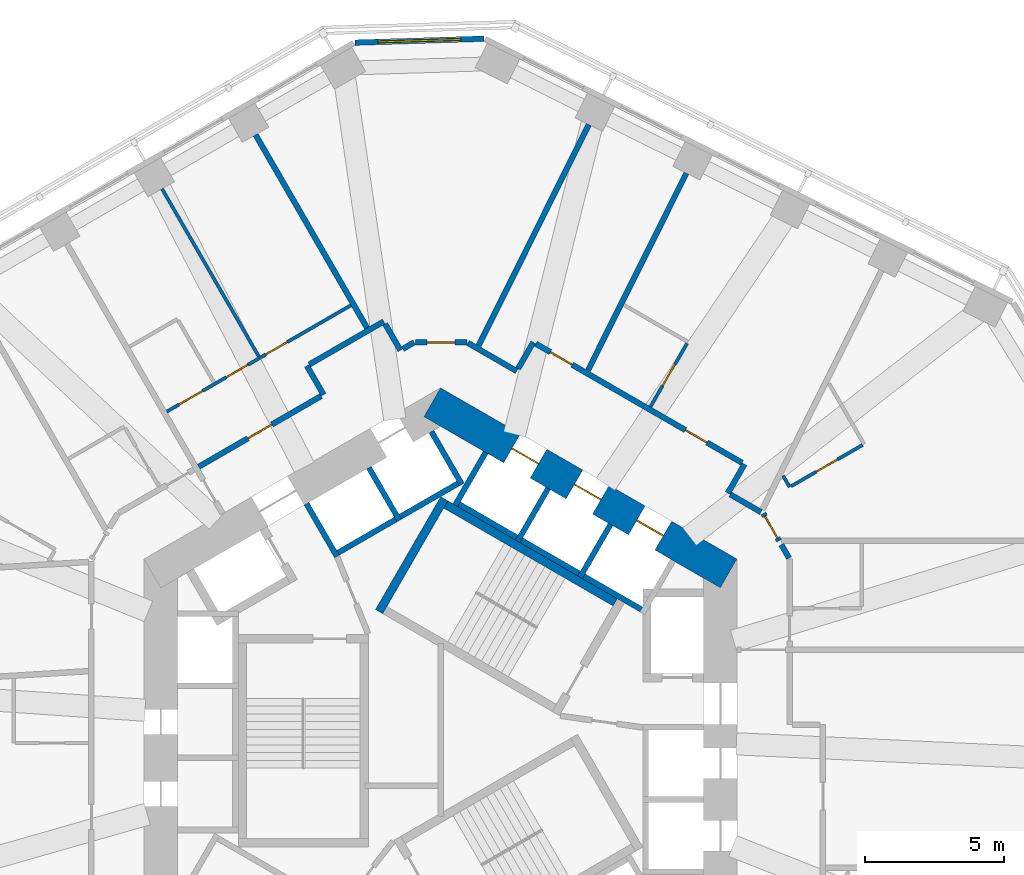
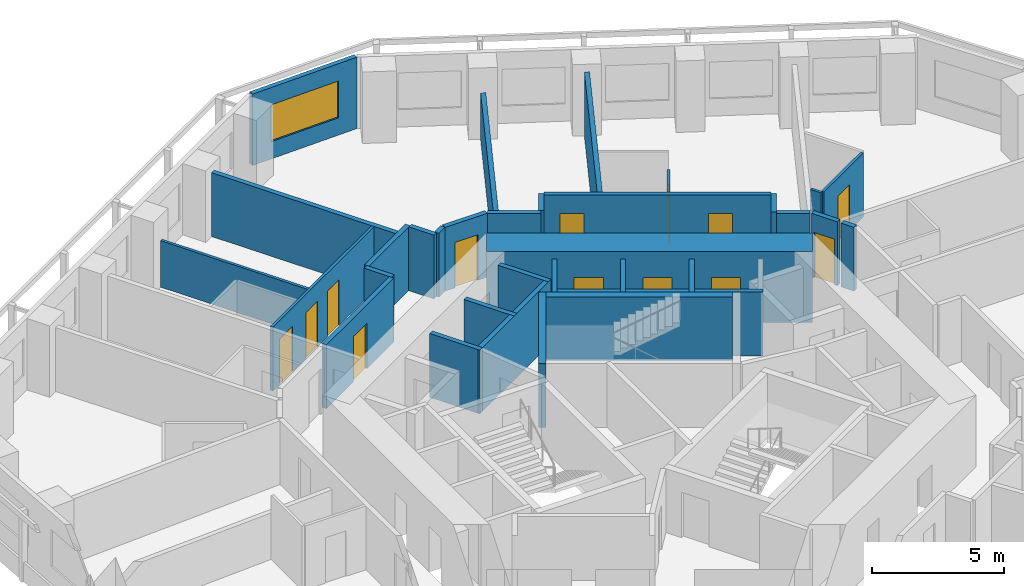
# One storey, part 8 of 12: 33 walls, 13 doors, 1 window, 14 openings.
"""IFC4 building model written with IfcOpenShell, lengths in metres."""

from ifc_helpers import new_model, si_unit, direction, frame, frame_2d, origin, place, context, subcontext, project, spatial, rectangle, extrude, material, layer, layer_set, type_object, element, fill, save


model = new_model("IFC4")

# Units and contexts
model_context = context("Model", 3, precision=1e-05, world=origin(), true_north=direction((0.0, 1.0)))
body_context = subcontext(model_context, "Body", "Model", "MODEL_VIEW")
ifc_project = project(units=[si_unit("LENGTHUNIT", "METRE"), si_unit("AREAUNIT", "SQUARE_METRE"), si_unit("VOLUMEUNIT", "CUBIC_METRE"), si_unit("PLANEANGLEUNIT", "RADIAN"), si_unit("MASSUNIT", "GRAM", prefix="KILO")], contexts=[model_context])

# Site, building, storey
site_placement = place(None, origin())
site = spatial("IfcSite", under=ifc_project, at=site_placement, CompositionType="ELEMENT")
building_placement = place(site_placement, origin())
building = spatial("IfcBuilding", under=site, at=building_placement, Name="Vanh Sen Convention Tower", CompositionType="ELEMENT")
storey_placement = place(building_placement, frame((0.0, 0.0, 116.60009765625)))
storey = spatial("IfcBuildingStorey", under=building, at=storey_placement, Name="L28", CompositionType="ELEMENT", Elevation=116.60009765625)

# Wall
ifc_material_1 = material(Name="Moisture-resistant gypsum board on steel studs", Category="steel")
ifc_layer_1 = layer(ifc_material_1, 0.1201171875)
ifc_layer_set_1 = layer_set([ifc_layer_1], Name="Moisture-resistant gypsum board on steel studs")
wall_type_1 = type_object("IfcWallType", Name="Bathroom partition 120", PredefinedType="PARTITIONING", material=ifc_layer_set_1)
wall_1_placement = place(storey_placement, frame((-10.052978515625, 19.54150390625, 0.0), z_axis=(0.0, 0.0, 1.0), x_axis=(0.49998952364, -0.866031452229, 0.0)))
element("IfcWall", 1, at=wall_1_placement, inside=storey, type_object=wall_type_1, Name="Bathroom partition 120", PredefinedType="PARTITIONING", context=body_context, shape_type="SweptSolid", body=[
    extrude(rectangle(XDim=6.989990234375, YDim=0.1201171875, at=frame_2d((3.4951171875, 0.0))), origin(), (0.0, 0.0, 1.0), 2.14990234375),
])

# Wall, openings, doors
wall_2_placement = place(storey_placement, frame((-3.237060546875, 15.336181640625, 0.0), z_axis=(0.0, 0.0, 1.0), x_axis=(-0.866022840924, -0.500004438978, 0.0)))
wall_2 = element("IfcWall", 2, at=wall_2_placement, inside=storey, type_object=wall_type_1, Name="Bathroom partition 120", PredefinedType="PARTITIONING", context=body_context, shape_type="SweptSolid", body=[
    extrude(rectangle(XDim=7.66943359375, YDim=0.1201171875, at=frame_2d((3.834716796875, 0.0))), origin(), (0.0, 0.0, 1.0), 2.949951171875),
])
opening_1_placement = place(wall_2_placement, frame((6.169189453125, 0.0, 0.0)))
opening_1 = element("IfcOpeningElement", 3, at=opening_1_placement, cuts=wall_2, Name="Opening D27111", PredefinedType="OPENING", context=body_context, shape_type="SweptSolid", body=[
    extrude(rectangle(XDim=1.0, YDim=2.10009765625, at=frame_2d((0.5, 1.050048828125))), frame((0.0, 0.070068359375, 0.0), z_axis=(0.0, -1.0, 0.0), x_axis=(1.0, 0.0, 0.0)), (0.0, 0.0, 1.0), 0.14013671875),
])
opening_2_placement = place(wall_2_placement, frame((2.64990234375, 0.0, 0.0)))
opening_2 = element("IfcOpeningElement", 4, at=opening_2_placement, cuts=wall_2, Name="Opening D27112", PredefinedType="OPENING", context=body_context, shape_type="SweptSolid", body=[
    extrude(rectangle(XDim=0.89990234375, YDim=2.10009765625, at=frame_2d((0.449951171875, 1.050048828125))), frame((0.0, 0.070068359375, 0.0), z_axis=(0.0, -1.0, 0.0), x_axis=(1.0, 0.0, 0.0)), (0.0, 0.0, 1.0), 0.14013671875),
])
opening_3_placement = place(wall_2_placement, frame((4.28466796875, 0.0, 0.0)))
opening_3 = element("IfcOpeningElement", 5, at=opening_3_placement, cuts=wall_2, Name="Opening D27113", PredefinedType="OPENING", context=body_context, shape_type="SweptSolid", body=[
    extrude(rectangle(XDim=0.89990234375, YDim=2.10009765625, at=frame_2d((0.449951171875, 1.050048828125))), frame((0.0, 0.070068359375, 0.0), z_axis=(0.0, -1.0, 0.0), x_axis=(1.0, 0.0, 0.0)), (0.0, 0.0, 1.0), 0.14013671875),
])
ifc_material_2 = material(Name="Laminate door in steel frame", Category="steel")
door_type_1 = type_object("IfcDoorType", Name="Accessible WC door 1000", OperationType="SINGLE_SWING_LEFT", PredefinedType="DOOR", material=ifc_material_2)
door_1_placement = place(opening_1_placement, origin())
door_1 = element("IfcDoor", 6, at=door_1_placement, inside=storey, type_object=door_type_1, Name="Accessible WC door D27111", OperationType="SINGLE_SWING_LEFT", OverallHeight=2.10009765625, OverallWidth=1.0, PredefinedType="DOOR", context=body_context, shape_type="SweptSolid", body=[
    extrude(rectangle(XDim=1.0, YDim=2.10009765625, at=frame_2d((0.5, 1.050048828125))), frame((0.0, 0.02490234375, 0.0), z_axis=(0.0, -1.0, 0.0), x_axis=(1.0, 0.0, 0.0)), (0.0, 0.0, 1.0), 0.050048828125),
])
fill(opening_1, door_1)
door_type_2 = type_object("IfcDoorType", Name="Room internal door 900", OperationType="SINGLE_SWING_LEFT", PredefinedType="DOOR", material=ifc_material_2)
door_2_placement = place(opening_2_placement, origin())
door_2 = element("IfcDoor", 7, at=door_2_placement, inside=storey, type_object=door_type_2, Name="Internal room door D27112", OperationType="SINGLE_SWING_LEFT", OverallHeight=2.10009765625, OverallWidth=0.89990234375, PredefinedType="DOOR", context=body_context, shape_type="SweptSolid", body=[
    extrude(rectangle(XDim=0.89990234375, YDim=2.10009765625, at=frame_2d((0.449951171875, 1.050048828125))), frame((0.0, 0.02490234375, 0.0), z_axis=(0.0, -1.0, 0.0), x_axis=(1.0, 0.0, 0.0)), (0.0, 0.0, 1.0), 0.050048828125),
])
fill(opening_2, door_2)
door_3_placement = place(opening_3_placement, origin())
door_3 = element("IfcDoor", 8, at=door_3_placement, inside=storey, type_object=door_type_2, Name="Internal room door D27113", OperationType="SINGLE_SWING_LEFT", OverallHeight=2.10009765625, OverallWidth=0.89990234375, PredefinedType="DOOR", context=body_context, shape_type="SweptSolid", body=[
    extrude(rectangle(XDim=0.89990234375, YDim=2.10009765625, at=frame_2d((0.449951171875, 1.050048828125))), frame((0.0, 0.02490234375, 0.0), z_axis=(0.0, -1.0, 0.0), x_axis=(1.0, 0.0, 0.0)), (0.0, 0.0, 1.0), 0.050048828125),
])
fill(opening_3, door_3)

# Wall, opening, door
wall_3_placement = place(storey_placement, frame((8.8974609375, 13.962890625, 0.0), z_axis=(0.0, 0.0, 1.0), x_axis=(-0.500048002682, -0.865997687649, 0.0)))
wall_3 = element("IfcWall", 9, at=wall_3_placement, inside=storey, type_object=wall_type_1, Name="Bathroom partition 120", PredefinedType="PARTITIONING", context=body_context, shape_type="SweptSolid", body=[
    extrude(rectangle(XDim=2.639892578125, YDim=0.1201171875, at=frame_2d((1.31982421875, 0.0))), origin(), (0.0, 0.0, 1.0), 2.14990234375),
])
opening_4_placement = place(wall_3_placement, frame((0.8701171875, 0.0, 0.0)))
opening_4 = element("IfcOpeningElement", 10, at=opening_4_placement, cuts=wall_3, Name="Opening D27107", PredefinedType="OPENING", context=body_context, shape_type="SweptSolid", body=[
    extrude(rectangle(XDim=0.89990234375, YDim=2.10009765625, at=frame_2d((0.449951171875, 1.050048828125))), frame((0.0, 0.070068359375, 0.0), z_axis=(0.0, -1.0, 0.0), x_axis=(1.0, 0.0, 0.0)), (0.0, 0.0, 1.0), 0.14013671875),
])
door_type_3 = type_object("IfcDoorType", Name="En-suite door 900", OperationType="SINGLE_SWING_LEFT", PredefinedType="DOOR", material=ifc_material_2)
door_4_placement = place(opening_4_placement, origin())
door_4 = element("IfcDoor", 11, at=door_4_placement, inside=storey, type_object=door_type_3, Name="En-suite door D27107", OperationType="SINGLE_SWING_LEFT", OverallHeight=2.10009765625, OverallWidth=0.89990234375, PredefinedType="DOOR", context=body_context, shape_type="SweptSolid", body=[
    extrude(rectangle(XDim=0.89990234375, YDim=2.10009765625, at=frame_2d((0.449951171875, 1.050048828125))), frame((0.0, 0.02490234375, 0.0), z_axis=(0.0, -1.0, 0.0), x_axis=(1.0, 0.0, 0.0)), (0.0, 0.0, 1.0), 0.050048828125),
])
fill(opening_4, door_4)

# Wall
wall_4_placement = place(storey_placement, frame((12.600830078125, 8.776123046875, 0.0), z_axis=(0.0, 0.0, 1.0), x_axis=(-0.500166486798, 0.865929261247, 0.0)))
element("IfcWall", 12, at=wall_4_placement, inside=storey, type_object=wall_type_1, Name="Bathroom partition 120", PredefinedType="PARTITIONING", context=body_context, shape_type="SweptSolid", body=[
    extrude(rectangle(XDim=0.475830078125, YDim=0.1201171875, at=frame_2d((0.23779296875, 0.0))), origin(), (0.0, 0.0, 1.0), 2.949951171875),
])

# Wall, opening, door
wall_5_placement = place(storey_placement, frame((15.2333984375, 10.296142578125, 0.0), z_axis=(0.0, 0.0, 1.0), x_axis=(-0.866010940986, -0.500025049464, 0.0)))
wall_5 = element("IfcWall", 13, at=wall_5_placement, inside=storey, type_object=wall_type_1, Name="Bathroom partition 120", PredefinedType="PARTITIONING", context=body_context, shape_type="SweptSolid", body=[
    extrude(rectangle(XDim=2.979736328125, YDim=0.1201171875, at=frame_2d((1.48974609375, 0.0))), origin(), (0.0, 0.0, 1.0), 2.949951171875),
])
opening_5_placement = place(wall_5_placement, frame((1.0400390625, 0.0, 0.0)))
opening_5 = element("IfcOpeningElement", 14, at=opening_5_placement, cuts=wall_5, Name="Opening D27105", PredefinedType="OPENING", context=body_context, shape_type="SweptSolid", body=[
    extrude(rectangle(XDim=0.89990234375, YDim=2.10009765625, at=frame_2d((0.449951171875, 1.050048828125))), frame((0.0, 0.070068359375, 0.0), z_axis=(0.0, -1.0, 0.0), x_axis=(1.0, 0.0, 0.0)), (0.0, 0.0, 1.0), 0.14013671875),
])
door_5_placement = place(opening_5_placement, origin())
door_5 = element("IfcDoor", 15, at=door_5_placement, inside=storey, type_object=door_type_3, Name="En-suite door D27105", OperationType="SINGLE_SWING_LEFT", OverallHeight=2.10009765625, OverallWidth=0.89990234375, PredefinedType="DOOR", context=body_context, shape_type="SweptSolid", body=[
    extrude(rectangle(XDim=0.89990234375, YDim=2.10009765625, at=frame_2d((0.449951171875, 1.050048828125))), frame((0.0, 0.02490234375, 0.0), z_axis=(0.0, -1.0, 0.0), x_axis=(1.0, 0.0, 0.0)), (0.0, 0.0, 1.0), 0.050048828125),
])
fill(opening_5, door_5)

# Wall, openings, doors
ifc_material_3 = material(Name="Concrete C80/95", Category="concrete")
ifc_layer_2 = layer(ifc_material_3, 1.199951171875)
ifc_layer_set_2 = layer_set([ifc_layer_2], Name="Concrete C80/95")
wall_type_2 = type_object("IfcWallType", Name="Core outer wall 1200 C80/95", PredefinedType="SHEAR", material=ifc_layer_set_2)
wall_6_placement = place(storey_placement, frame((10.39990234375, 5.657958984375, 0.0), z_axis=(0.0, 0.0, 1.0), x_axis=(-0.866021384402, 0.500006961711, 0.0)))
wall_6 = element("IfcWall", 16, at=wall_6_placement, inside=storey, type_object=wall_type_2, Name="Core wall face NE L28", PredefinedType="SHEAR", context=body_context, shape_type="SweptSolid", body=[
    extrude(rectangle(XDim=12.355224609375, YDim=1.199951171875, at=frame_2d((6.177734375, 0.0))), origin(), (0.0, 0.0, 1.0), 3.2998046875),
])
opening_6_placement = place(wall_6_placement, frame((2.727783203125, 0.0, 0.0)))
opening_6 = element("IfcOpeningElement", 17, at=opening_6_placement, cuts=wall_6, Name="Opening LD-LR3", PredefinedType="OPENING", context=body_context, shape_type="SweptSolid", body=[
    extrude(rectangle(XDim=1.10009765625, YDim=2.10009765625, at=frame_2d((0.550048828125, 1.050048828125))), frame((0.0, 0.60986328125, 0.0), z_axis=(0.0, -1.0, 0.0), x_axis=(1.0, 0.0, 0.0)), (0.0, 0.0, 1.0), 1.219970703125),
])
opening_7_placement = place(wall_6_placement, frame((5.32763671875, 0.0, 0.0)))
opening_7 = element("IfcOpeningElement", 18, at=opening_7_placement, cuts=wall_6, Name="Opening LD-LR4", PredefinedType="OPENING", context=body_context, shape_type="SweptSolid", body=[
    extrude(rectangle(XDim=1.10009765625, YDim=2.10009765625, at=frame_2d((0.550048828125, 1.050048828125))), frame((0.0, 0.60986328125, 0.0), z_axis=(0.0, -1.0, 0.0), x_axis=(1.0, 0.0, 0.0)), (0.0, 0.0, 1.0), 1.219970703125),
])
opening_8_placement = place(wall_6_placement, frame((7.927734375, 0.0, 0.0)))
opening_8 = element("IfcOpeningElement", 19, at=opening_8_placement, cuts=wall_6, Name="Opening LD-LR5", PredefinedType="OPENING", context=body_context, shape_type="SweptSolid", body=[
    extrude(rectangle(XDim=1.10009765625, YDim=2.10009765625, at=frame_2d((0.550048828125, 1.050048828125))), frame((0.0, 0.60986328125, 0.0), z_axis=(0.0, -1.0, 0.0), x_axis=(1.0, 0.0, 0.0)), (0.0, 0.0, 1.0), 1.219970703125),
])
ifc_material_4 = material(Name="Stainless steel", Category="steel")
door_type_4 = type_object("IfcDoorType", Name="Lift landing door 1100", OperationType="DOUBLE_DOOR_SLIDING", PredefinedType="DOOR", material=ifc_material_4)
door_6_placement = place(opening_6_placement, origin())
door_6 = element("IfcDoor", 20, at=door_6_placement, inside=storey, type_object=door_type_4, Name="Lift LR3 landing door LD-LR3", OperationType="DOUBLE_DOOR_SLIDING", OverallHeight=2.10009765625, OverallWidth=1.10009765625, PredefinedType="DOOR", context=body_context, shape_type="SweptSolid", body=[
    extrude(rectangle(XDim=1.10009765625, YDim=2.10009765625, at=frame_2d((0.550048828125, 1.050048828125))), frame((0.0, 0.02490234375, 0.0), z_axis=(0.0, -1.0, 0.0), x_axis=(1.0, 0.0, 0.0)), (0.0, 0.0, 1.0), 0.050048828125),
])
fill(opening_6, door_6)
door_7_placement = place(opening_7_placement, origin())
door_7 = element("IfcDoor", 21, at=door_7_placement, inside=storey, type_object=door_type_4, Name="Lift LR4 landing door LD-LR4", OperationType="DOUBLE_DOOR_SLIDING", OverallHeight=2.10009765625, OverallWidth=1.10009765625, PredefinedType="DOOR", context=body_context, shape_type="SweptSolid", body=[
    extrude(rectangle(XDim=1.10009765625, YDim=2.10009765625, at=frame_2d((0.550048828125, 1.050048828125))), frame((0.0, 0.02490234375, 0.0), z_axis=(0.0, -1.0, 0.0), x_axis=(1.0, 0.0, 0.0)), (0.0, 0.0, 1.0), 0.050048828125),
])
fill(opening_7, door_7)
door_8_placement = place(opening_8_placement, origin())
door_8 = element("IfcDoor", 22, at=door_8_placement, inside=storey, type_object=door_type_4, Name="Lift LR5 landing door LD-LR5", OperationType="DOUBLE_DOOR_SLIDING", OverallHeight=2.10009765625, OverallWidth=1.10009765625, PredefinedType="DOOR", context=body_context, shape_type="SweptSolid", body=[
    extrude(rectangle(XDim=1.10009765625, YDim=2.10009765625, at=frame_2d((0.550048828125, 1.050048828125))), frame((0.0, 0.02490234375, 0.0), z_axis=(0.0, -1.0, 0.0), x_axis=(1.0, 0.0, 0.0)), (0.0, 0.0, 1.0), 0.050048828125),
])
fill(opening_8, door_8)

# Wall
ifc_material_5 = material(Name="Gypsum board on steel studs with mineral wool", Category="steel")
ifc_layer_3 = layer(ifc_material_5, 0.199951171875)
ifc_layer_set_3 = layer_set([ifc_layer_3], Name="Gypsum board on steel studs with mineral wool")
wall_type_3 = type_object("IfcWallType", Name="Corridor partition wall 200", PredefinedType="PARTITIONING", material=ifc_layer_set_3)
wall_7_placement = place(storey_placement, frame((-4.822998046875, 13.151611328125, 0.0), z_axis=(0.0, 0.0, 1.0), x_axis=(0.499986357472, -0.866033280158, 0.0)))
element("IfcWall", 23, at=wall_7_placement, inside=storey, type_object=wall_type_3, Name="Corridor partition wall 200", PredefinedType="PARTITIONING", context=body_context, shape_type="SweptSolid", body=[
    extrude(rectangle(XDim=1.201171875, YDim=0.199951171875, at=frame_2d((0.6005859375, 0.0))), origin(), (0.0, 0.0, 1.0), 2.949951171875),
])

# Wall, opening, door
wall_8_placement = place(storey_placement, frame((-4.30908203125, 12.061279296875, 0.0), z_axis=(0.0, 0.0, 1.0), x_axis=(-0.866020679205, -0.500008183122, 0.0)))
wall_8 = element("IfcWall", 24, at=wall_8_placement, inside=storey, type_object=wall_type_3, Name="Corridor partition wall 200", PredefinedType="PARTITIONING", context=body_context, shape_type="SweptSolid", body=[
    extrude(rectangle(XDim=5.103515625, YDim=0.199951171875, at=frame_2d((2.5517578125, 0.0))), origin(), (0.0, 0.0, 1.0), 2.949951171875),
])
opening_9_placement = place(wall_8_placement, frame((2.0517578125, 0.0, 0.0)))
opening_9 = element("IfcOpeningElement", 25, at=opening_9_placement, cuts=wall_8, Name="Opening D27110", PredefinedType="OPENING", context=body_context, shape_type="SweptSolid", body=[
    extrude(rectangle(XDim=1.0, YDim=2.10009765625, at=frame_2d((0.5, 1.050048828125))), frame((0.0, 0.10986328125, 0.0), z_axis=(0.0, -1.0, 0.0), x_axis=(1.0, 0.0, 0.0)), (0.0, 0.0, 1.0), 0.219970703125),
])
ifc_material_6 = material(Name="Timber fire door in steel frame", Category="steel")
door_type_5 = type_object("IfcDoorType", Name="Floor room door 1000", OperationType="SINGLE_SWING_LEFT", PredefinedType="DOOR", material=ifc_material_6)
door_9_placement = place(opening_9_placement, origin())
door_9 = element("IfcDoor", 26, at=door_9_placement, inside=storey, type_object=door_type_5, Name="Meeting and amenity room door D27110", OperationType="SINGLE_SWING_LEFT", OverallHeight=2.10009765625, OverallWidth=1.0, PredefinedType="DOOR", context=body_context, shape_type="SweptSolid", body=[
    extrude(rectangle(XDim=1.0, YDim=2.10009765625, at=frame_2d((0.5, 1.050048828125))), frame((0.0, 0.02490234375, 0.0), z_axis=(0.0, -1.0, 0.0), x_axis=(1.0, 0.0, 0.0)), (0.0, 0.0, 1.0), 0.050048828125),
])
fill(opening_9, door_9)

# Walls
wall_9_placement = place(storey_placement, frame((-2.0498046875, 14.75244140625, 0.0), z_axis=(0.0, 0.0, 1.0), x_axis=(-0.866030936828, -0.499990416364, 0.0)))
element("IfcWall", 27, at=wall_9_placement, inside=storey, type_object=wall_type_3, Name="Corridor partition wall 200", PredefinedType="PARTITIONING", context=body_context, shape_type="SweptSolid", body=[
    extrude(rectangle(XDim=3.10205078125, YDim=0.199951171875, at=frame_2d((1.551025390625, 0.0))), origin(), (0.0, 0.0, 1.0), 2.949951171875),
])
wall_10_placement = place(storey_placement, frame((-1.449462890625, 13.71240234375, 0.0), z_axis=(0.0, 0.0, 1.0), x_axis=(-0.499978356969, 0.866037899034, 0.0)))
element("IfcWall", 28, at=wall_10_placement, inside=storey, type_object=wall_type_3, Name="Corridor partition wall 200", PredefinedType="PARTITIONING", context=body_context, shape_type="SweptSolid", body=[
    extrude(rectangle(XDim=1.10107421875, YDim=0.199951171875, at=frame_2d((0.550537109375, 0.0))), origin(), (0.0, 0.0, 1.0), 2.949951171875),
])
wall_11_placement = place(storey_placement, frame((-0.949951171875, 14.000732421875, 0.0), z_axis=(0.0, 0.0, 1.0), x_axis=(-0.86609177584, -0.499885022602, 0.0)))
element("IfcWall", 29, at=wall_11_placement, inside=storey, type_object=wall_type_3, Name="Corridor partition wall 200", PredefinedType="PARTITIONING", context=body_context, shape_type="SweptSolid", body=[
    extrude(rectangle(XDim=0.4765625, YDim=0.199951171875, at=frame_2d((0.23828125, 0.0))), origin(), (0.0, 0.0, 1.0), 2.949951171875),
])

# Wall, opening, door
wall_12_placement = place(storey_placement, frame((0.949951171875, 14.000732421875, 0.0), z_axis=(0.0, 0.0, 1.0), x_axis=(-1.0, 0.0, 0.0)))
wall_12 = element("IfcWall", 30, at=wall_12_placement, inside=storey, type_object=wall_type_3, Name="Corridor partition wall 200", PredefinedType="PARTITIONING", context=body_context, shape_type="SweptSolid", body=[
    extrude(rectangle(XDim=1.85986328125, YDim=0.199951171875, at=frame_2d((0.929931640625, 0.0))), origin(), (0.0, 0.0, 1.0), 2.949951171875),
])
opening_10_placement = place(wall_12_placement, frame((0.429931640625, 0.0, 0.0)))
opening_10 = element("IfcOpeningElement", 31, at=opening_10_placement, cuts=wall_12, Name="Opening D27109", PredefinedType="OPENING", context=body_context, shape_type="SweptSolid", body=[
    extrude(rectangle(XDim=1.0, YDim=2.10009765625, at=frame_2d((0.5, 1.050048828125))), frame((0.0, 0.10986328125, 0.0), z_axis=(0.0, -1.0, 0.0), x_axis=(1.0, 0.0, 0.0)), (0.0, 0.0, 1.0), 0.219970703125),
])
door_10_placement = place(opening_10_placement, origin())
door_10 = element("IfcDoor", 32, at=door_10_placement, inside=storey, type_object=door_type_5, Name="Meeting and amenity room door D27109", OperationType="SINGLE_SWING_LEFT", OverallHeight=2.10009765625, OverallWidth=1.0, PredefinedType="DOOR", context=body_context, shape_type="SweptSolid", body=[
    extrude(rectangle(XDim=1.0, YDim=2.10009765625, at=frame_2d((0.5, 1.050048828125))), frame((0.0, 0.02490234375, 0.0), z_axis=(0.0, -1.0, 0.0), x_axis=(1.0, 0.0, 0.0)), (0.0, 0.0, 1.0), 0.050048828125),
])
fill(opening_10, door_10)

# Walls
wall_13_placement = place(storey_placement, frame((2.748291015625, 12.96240234375, 0.0), z_axis=(0.0, 0.0, 1.0), x_axis=(-0.866013897511, 0.50001992892, 0.0)))
element("IfcWall", 33, at=wall_13_placement, inside=storey, type_object=wall_type_3, Name="Corridor partition wall 200", PredefinedType="PARTITIONING", context=body_context, shape_type="SweptSolid", body=[
    extrude(rectangle(XDim=2.03662109375, YDim=0.199951171875, at=frame_2d((1.018310546875, 0.0))), origin(), (0.0, 0.0, 1.0), 2.949951171875),
])
wall_14_placement = place(storey_placement, frame((3.348876953125, 14.00244140625, 0.0), z_axis=(0.0, 0.0, 1.0), x_axis=(-0.500074377092, -0.865982457891, 0.0)))
element("IfcWall", 34, at=wall_14_placement, inside=storey, type_object=wall_type_3, Name="Corridor partition wall 200", PredefinedType="PARTITIONING", context=body_context, shape_type="SweptSolid", body=[
    extrude(rectangle(XDim=1.100830078125, YDim=0.199951171875, at=frame_2d((0.55029296875, 0.0))), origin(), (0.0, 0.0, 1.0), 2.949951171875),
])
wall_15_placement = place(storey_placement, frame((10.37109375, 8.561279296875, 0.0), z_axis=(0.0, 0.0, 1.0), x_axis=(0.499986357472, 0.866033280158, 0.0)))
element("IfcWall", 35, at=wall_15_placement, inside=storey, type_object=wall_type_3, Name="Corridor partition wall 200", PredefinedType="PARTITIONING", context=body_context, shape_type="SweptSolid", body=[
    extrude(rectangle(XDim=1.201171875, YDim=0.199951171875, at=frame_2d((0.6005859375, 0.0))), origin(), (0.0, 0.0, 1.0), 2.949951171875),
])

# Wall, openings, doors
wall_16_placement = place(storey_placement, frame((10.885009765625, 9.651611328125, 0.0), z_axis=(0.0, 0.0, 1.0), x_axis=(-0.866033868542, 0.499985338323, 0.0)))
wall_16 = element("IfcWall", 36, at=wall_16_placement, inside=storey, type_object=wall_type_3, Name="Corridor partition wall 200", PredefinedType="PARTITIONING", context=body_context, shape_type="SweptSolid", body=[
    extrude(rectangle(XDim=8.601806640625, YDim=0.199951171875, at=frame_2d((4.30078125, 0.0))), origin(), (0.0, 0.0, 1.0), 2.949951171875),
])
opening_11_placement = place(wall_16_placement, frame((1.463623046875, 0.0, 0.0)))
opening_11 = element("IfcOpeningElement", 37, at=opening_11_placement, cuts=wall_16, Name="Opening D27106", PredefinedType="OPENING", context=body_context, shape_type="SweptSolid", body=[
    extrude(rectangle(XDim=0.89990234375, YDim=2.10009765625, at=frame_2d((0.449951171875, 1.050048828125))), frame((0.0, 0.10986328125, 0.0), z_axis=(0.0, -1.0, 0.0), x_axis=(1.0, 0.0, 0.0)), (0.0, 0.0, 1.0), 0.219970703125),
])
opening_12_placement = place(wall_16_placement, frame((7.089599609375, 0.0, 0.0)))
opening_12 = element("IfcOpeningElement", 38, at=opening_12_placement, cuts=wall_16, Name="Opening D27108", PredefinedType="OPENING", context=body_context, shape_type="SweptSolid", body=[
    extrude(rectangle(XDim=0.89990234375, YDim=2.10009765625, at=frame_2d((0.449951171875, 1.050048828125))), frame((0.0, 0.10986328125, 0.0), z_axis=(0.0, -1.0, 0.0), x_axis=(1.0, 0.0, 0.0)), (0.0, 0.0, 1.0), 0.219970703125),
])
door_type_6 = type_object("IfcDoorType", Name="Floor service door 900", OperationType="SINGLE_SWING_LEFT", PredefinedType="DOOR", material=ifc_material_6)
door_11_placement = place(opening_12_placement, origin())
door_11 = element("IfcDoor", 39, at=door_11_placement, inside=storey, type_object=door_type_6, Name="Service room door D27108", OperationType="SINGLE_SWING_LEFT", OverallHeight=2.10009765625, OverallWidth=0.89990234375, PredefinedType="DOOR", context=body_context, shape_type="SweptSolid", body=[
    extrude(rectangle(XDim=0.89990234375, YDim=2.10009765625, at=frame_2d((0.449951171875, 1.050048828125))), frame((0.0, 0.02490234375, 0.0), z_axis=(0.0, -1.0, 0.0), x_axis=(1.0, 0.0, 0.0)), (0.0, 0.0, 1.0), 0.050048828125),
])
fill(opening_12, door_11)
door_type_7 = type_object("IfcDoorType", Name="Guest room door 900", OperationType="SINGLE_SWING_LEFT", PredefinedType="DOOR", material=ifc_material_6)
door_12_placement = place(opening_11_placement, origin())
door_12 = element("IfcDoor", 40, at=door_12_placement, inside=storey, type_object=door_type_7, Name="Hotel guest room door D27106", OperationType="SINGLE_SWING_LEFT", OverallHeight=2.10009765625, OverallWidth=0.89990234375, PredefinedType="DOOR", context=body_context, shape_type="SweptSolid", body=[
    extrude(rectangle(XDim=0.89990234375, YDim=2.10009765625, at=frame_2d((0.449951171875, 1.050048828125))), frame((0.0, 0.02490234375, 0.0), z_axis=(0.0, -1.0, 0.0), x_axis=(1.0, 0.0, 0.0)), (0.0, 0.0, 1.0), 0.050048828125),
])
fill(opening_11, door_12)

# Wall
wall_17_placement = place(storey_placement, frame((11.56640625, 7.871337890625, 0.0), z_axis=(0.0, 0.0, 1.0), x_axis=(-0.866004557827, 0.500036104519, 0.0)))
element("IfcWall", 41, at=wall_17_placement, inside=storey, type_object=wall_type_3, Name="Corridor partition wall 200", PredefinedType="PARTITIONING", context=body_context, shape_type="SweptSolid", body=[
    extrude(rectangle(XDim=1.2802734375, YDim=0.199951171875, at=frame_2d((0.64013671875, 0.0))), origin(), (0.0, 0.0, 1.0), 2.949951171875),
])

# Wall, opening, door
wall_18_placement = place(storey_placement, frame((12.218017578125, 6.839111328125, 0.0), z_axis=(0.0, 0.0, 1.0), x_axis=(-0.500044870432, 0.865999496279, 0.0)))
wall_18 = element("IfcWall", 42, at=wall_18_placement, inside=storey, type_object=wall_type_3, Name="Corridor partition wall 200", PredefinedType="PARTITIONING", context=body_context, shape_type="SweptSolid", body=[
    extrude(rectangle(XDim=1.13623046875, YDim=0.199951171875, at=frame_2d((0.568115234375, 0.0))), origin(), (0.0, 0.0, 1.0), 2.949951171875),
])
opening_13_placement = place(wall_18_placement, frame((0.1181640625, 0.0, 0.0)))
opening_13 = element("IfcOpeningElement", 43, at=opening_13_placement, cuts=wall_18, Name="Opening D27104", PredefinedType="OPENING", context=body_context, shape_type="SweptSolid", body=[
    extrude(rectangle(XDim=0.89990234375, YDim=2.10009765625, at=frame_2d((0.449951171875, 1.050048828125))), frame((0.0, 0.10986328125, 0.0), z_axis=(0.0, -1.0, 0.0), x_axis=(1.0, 0.0, 0.0)), (0.0, 0.0, 1.0), 0.219970703125),
])
door_13_placement = place(opening_13_placement, origin())
door_13 = element("IfcDoor", 44, at=door_13_placement, inside=storey, type_object=door_type_7, Name="Hotel guest room door D27104", OperationType="SINGLE_SWING_LEFT", OverallHeight=2.10009765625, OverallWidth=0.89990234375, PredefinedType="DOOR", context=body_context, shape_type="SweptSolid", body=[
    extrude(rectangle(XDim=0.89990234375, YDim=2.10009765625, at=frame_2d((0.449951171875, 1.050048828125))), frame((0.0, 0.02490234375, 0.0), z_axis=(0.0, -1.0, 0.0), x_axis=(1.0, 0.0, 0.0)), (0.0, 0.0, 1.0), 0.050048828125),
])
fill(opening_13, door_13)

# Wall
wall_19_placement = place(storey_placement, frame((12.580078125, 6.212158203125, 0.0), z_axis=(0.0, 0.0, 1.0), x_axis=(-0.499936258447, 0.86606220186, 0.0)))
element("IfcWall", 45, at=wall_19_placement, inside=storey, type_object=wall_type_3, Name="Corridor partition wall 200", PredefinedType="PARTITIONING", context=body_context, shape_type="SweptSolid", body=[
    extrude(rectangle(XDim=0.56005859375, YDim=0.199951171875, at=frame_2d((0.280029296875, 0.0))), origin(), (0.0, 0.0, 1.0), 2.949951171875),
])

# Wall, opening, window
ifc_material_7 = material(Name="Insulated lightweight infill wall")
ifc_layer_4 = layer(ifc_material_7, 0.199951171875)
ifc_layer_set_4 = layer_set([ifc_layer_4], Name="Insulated lightweight infill wall")
wall_type_4 = type_object("IfcWallType", Name="External wall 200", PredefinedType="STANDARD", material=ifc_layer_set_4)
wall_20_placement = place(storey_placement, frame((1.568359375, 24.9609375, 0.0), z_axis=(0.0, 0.0, 1.0), x_axis=(-0.999533359013, -0.030546099927, 0.0)))
wall_20 = element("IfcWall", 46, at=wall_20_placement, inside=storey, type_object=wall_type_4, Name="External wall CH2 L28", PredefinedType="STANDARD", context=body_context, shape_type="SweptSolid", body=[
    extrude(rectangle(XDim=4.65966796875, YDim=0.199951171875, at=frame_2d((2.329833984375, 0.0))), origin(), (0.0, 0.0, 1.0), 3.2998046875),
])
opening_14_placement = place(wall_20_placement, frame((0.829833984375, 0.0, 0.800048828125)))
opening_14 = element("IfcOpeningElement", 47, at=opening_14_placement, cuts=wall_20, Name="Opening WH2-CH21", PredefinedType="OPENING", context=body_context, shape_type="SweptSolid", body=[
    extrude(rectangle(XDim=3.0, YDim=1.699951171875, at=frame_2d((1.5, 0.85009765625))), frame((0.0, 0.10986328125, 0.0), z_axis=(0.0, -1.0, 0.0), x_axis=(1.0, 0.0, 0.0)), (0.0, 0.0, 1.0), 0.219970703125),
])
ifc_material_8 = material(Name="Aluminium frame with clear low-emissivity glass", Category="aluminium")
window_type = type_object("IfcWindowType", Name="Hotel window 3000 x 1700", PartitioningType="SINGLE_PANEL", PredefinedType="WINDOW", material=ifc_material_8)
window_placement = place(opening_14_placement, origin())
window = element("IfcWindow", 48, at=window_placement, inside=storey, type_object=window_type, Name="Window WH2-CH21", OverallHeight=1.699951171875, OverallWidth=3.0, PartitioningType="SINGLE_PANEL", PredefinedType="WINDOW", context=body_context, shape_type="SweptSolid", body=[
    extrude(rectangle(XDim=3.0, YDim=1.699951171875, at=frame_2d((1.5, 0.85009765625))), frame((0.0, 0.030029296875, 0.0), z_axis=(0.0, -1.0, 0.0), x_axis=(1.0, 0.0, 0.0)), (0.0, 0.0, 1.0), 0.06005859375),
])
fill(opening_14, window)

# Walls
ifc_layer_5 = layer(ifc_material_5, 0.199951171875)
ifc_layer_set_5 = layer_set([ifc_layer_5], Name="Gypsum board on steel studs with mineral wool")
wall_type_5 = type_object("IfcWallType", Name="Hotel party wall 200", PredefinedType="PARTITIONING", material=ifc_layer_set_5)
wall_21_placement = place(storey_placement, frame((-6.675537109375, 21.49169921875, 0.0), z_axis=(0.0, 0.0, 1.0), x_axis=(0.500011263043, -0.866018900966, 0.0)))
element("IfcWall", 49, at=wall_21_placement, inside=storey, type_object=wall_type_5, Name="Hotel party wall 200", PredefinedType="PARTITIONING", context=body_context, shape_type="SweptSolid", body=[
    extrude(rectangle(XDim=8.049072265625, YDim=0.199951171875, at=frame_2d((4.0244140625, 0.0))), origin(), (0.0, 0.0, 1.0), 2.949951171875),
])
wall_22_placement = place(storey_placement, frame((5.35107421875, 21.859130859375, 0.0), z_axis=(0.0, 0.0, 1.0), x_axis=(-0.446205309328, -0.894930624086, 0.0)))
element("IfcWall", 50, at=wall_22_placement, inside=storey, type_object=wall_type_5, Name="Hotel party wall 200", PredefinedType="PARTITIONING", context=body_context, shape_type="SweptSolid", body=[
    extrude(rectangle(XDim=8.9130859375, YDim=0.199951171875, at=frame_2d((4.45654296875, 0.0))), origin(), (0.0, 0.0, 1.0), 2.14990234375),
])
wall_23_placement = place(storey_placement, frame((8.872314453125, 20.103515625, 0.0), z_axis=(0.0, 0.0, 1.0), x_axis=(-0.446218378653, -0.894924107706, 0.0)))
element("IfcWall", 51, at=wall_23_placement, inside=storey, type_object=wall_type_5, Name="Hotel party wall 200", PredefinedType="PARTITIONING", context=body_context, shape_type="SweptSolid", body=[
    extrude(rectangle(XDim=7.950439453125, YDim=0.199951171875, at=frame_2d((3.97509765625, 0.0))), origin(), (0.0, 0.0, 1.0), 2.949951171875),
])
ifc_material_9 = material(Name="Concrete C40/50", Category="concrete")
ifc_layer_6 = layer(ifc_material_9, 0.199951171875)
ifc_layer_set_6 = layer_set([ifc_layer_6], Name="Concrete C40/50")
wall_type_6 = type_object("IfcWallType", Name="Lift shaft wall 200", PredefinedType="PARTITIONING", material=ifc_layer_set_6)
wall_24_placement = place(storey_placement, frame((7.423828125, 4.258544921875, 0.0), z_axis=(0.0, 0.0, 1.0), x_axis=(-0.866026010844, 0.49999894854, 0.0)))
element("IfcWall", 52, at=wall_24_placement, inside=storey, type_object=wall_type_6, Name="Lift shaft wall L28", PredefinedType="PARTITIONING", context=body_context, shape_type="SweptSolid", body=[
    extrude(rectangle(XDim=8.0, YDim=0.199951171875, at=frame_2d((4.0, 0.0))), origin(), (0.0, 0.0, 1.0), 2.949951171875),
])
for number, where, z_axis, x_axis, name in (
    (53, (5.03564453125, 5.52197265625, 0.0), (0.0, 0.0, 1.0), (0.499946605688, 0.86605622881, 0.0), "Lift shaft wall L28"),
    (54, (2.783935546875, 6.822021484375, 0.0), (0.0, 0.0, 1.0), (0.50002983664, 0.866008176907, 0.0), "Lift shaft wall L28"),
    (55, (0.5322265625, 8.1220703125, 0.0), (0.0, 0.0, 1.0), (0.500077893725, 0.86598042715, 0.0), "Lift shaft wall L28"),
):
    element("IfcWall", number, at=place(storey_placement, frame(where, z_axis=z_axis, x_axis=x_axis)), inside=storey, type_object=wall_type_6, Name=name, PredefinedType="PARTITIONING", context=body_context, shape_type="SweptSolid", body=[
        extrude(rectangle(XDim=2.199951171875, YDim=0.199951171875, at=frame_2d((1.10009765625, 0.0))), origin(), (0.0, 0.0, 1.0), 2.949951171875),
    ])
wall_25_placement = place(storey_placement, frame((0.80322265625, 9.008544921875, 0.0), z_axis=(0.0, 0.0, 1.0), x_axis=(-0.866028230842, -0.499995103361, 0.0)))
element("IfcWall", 56, at=wall_25_placement, inside=storey, type_object=wall_type_6, Name="Lift shaft wall L28", PredefinedType="PARTITIONING", context=body_context, shape_type="SweptSolid", body=[
    extrude(rectangle(XDim=5.39990234375, YDim=0.199951171875, at=frame_2d((2.699951171875, 0.0))), origin(), (0.0, 0.0, 1.0), 2.949951171875),
])
wall_26_placement = place(storey_placement, frame((0.7666015625, 8.8720703125, 0.0), z_axis=(0.0, 0.0, 1.0), x_axis=(-0.499994660107, 0.866028486751, 0.0)))
element("IfcWall", 57, at=wall_26_placement, inside=storey, type_object=wall_type_6, Name="Lift shaft wall L28", PredefinedType="PARTITIONING", context=body_context, shape_type="SweptSolid", body=[
    extrude(rectangle(XDim=2.19970703125, YDim=0.199951171875, at=frame_2d((1.099853515625, 0.0))), origin(), (0.0, 0.0, 1.0), 2.949951171875),
])
for number, where, z_axis, x_axis, name in (
    (58, (-1.48486328125, 7.572021484375, 0.0), (0.0, 0.0, 1.0), (-0.50002983664, 0.866008176907, 0.0), "Lift shaft wall L28"),
    (59, (-3.736572265625, 6.27197265625, 0.0), (0.0, 0.0, 1.0), (-0.50002983664, 0.866008176907, 0.0), "Lift shaft wall L28"),
):
    element("IfcWall", number, at=place(storey_placement, frame(where, z_axis=z_axis, x_axis=x_axis)), inside=storey, type_object=wall_type_6, Name=name, PredefinedType="PARTITIONING", context=body_context, shape_type="SweptSolid", body=[
        extrude(rectangle(XDim=2.199951171875, YDim=0.199951171875, at=frame_2d((1.10009765625, 0.0))), origin(), (0.0, 0.0, 1.0), 2.949951171875),
    ])
ifc_material_10 = material(Name="Concrete C60/75", Category="concrete")
ifc_layer_7 = layer(ifc_material_10, 0.300048828125)
ifc_layer_set_7 = layer_set([ifc_layer_7], Name="Concrete C60/75")
wall_type_7 = type_object("IfcWallType", Name="Stair wall 300", PredefinedType="SHEAR", material=ifc_layer_set_7)
wall_27_placement = place(storey_placement, frame((-2.216064453125, 4.28173828125, 0.0), z_axis=(0.0, 0.0, 1.0), x_axis=(0.499977259774, 0.866038532462, 0.0)))
element("IfcWall", 60, at=wall_27_placement, inside=storey, type_object=wall_type_7, Name="Stair wall L28", PredefinedType="SHEAR", context=body_context, shape_type="SweptSolid", body=[
    extrude(rectangle(XDim=4.699951171875, YDim=0.300048828125, at=frame_2d((2.35009765625, 0.0))), origin(), (0.0, 0.0, 1.0), 2.949951171875),
])
wall_28_placement = place(storey_placement, frame((6.302978515625, 4.6171875, 0.0), z_axis=(0.0, 0.0, 1.0), x_axis=(-0.866027801685, 0.499995846692, 0.0)))
element("IfcWall", 61, at=wall_28_placement, inside=storey, type_object=wall_type_7, Name="Stair wall L28", PredefinedType="SHEAR", context=body_context, shape_type="SweptSolid", body=[
    extrude(rectangle(XDim=7.06005859375, YDim=0.300048828125, at=frame_2d((3.530029296875, 0.0))), origin(), (0.0, 0.0, 1.0), 2.949951171875),
])

save(model, "model.ifc")
